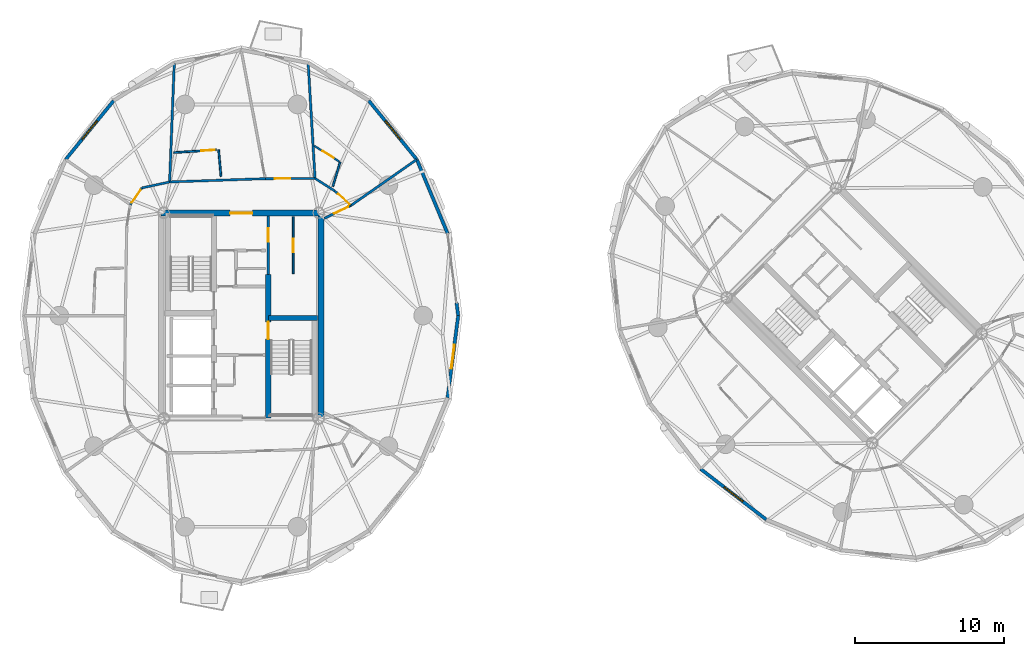
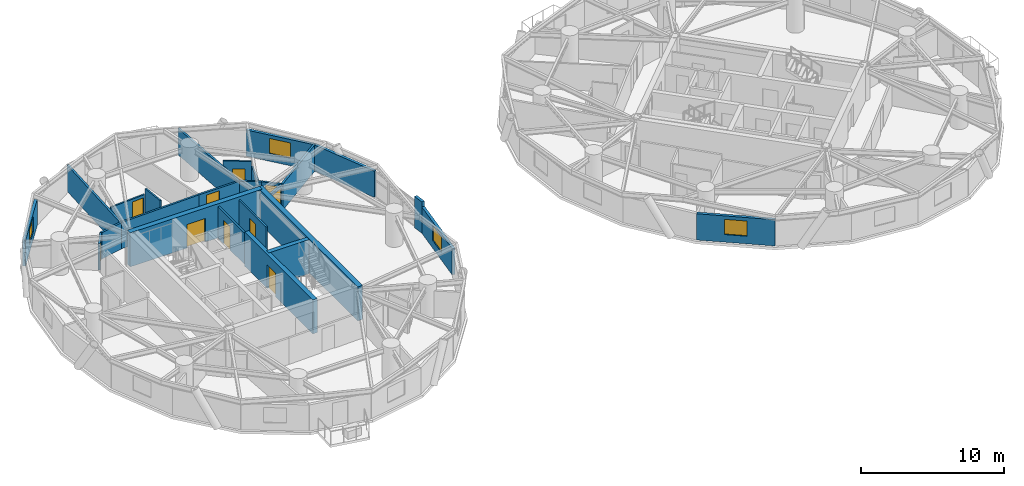
# One storey, part 10 of 17: 26 walls, 10 doors, 4 windows, 14 openings.
"""IFC4 building model written with IfcOpenShell, lengths in metres."""

import ifcopenshell
import ifcopenshell.guid

model = None  # the IFC model being written
_history = None  # IfcOwnerHistory: only IFC2X3 demands one
_inside = {}  # id of a spatial element -> (the spatial element, [elements in it])
_under = {}  # id of a project, library or spatial element -> (it, [spatial elements below it])
_declared = {}  # id of a project -> (the project, [libraries it declares])
_typed = {}  # id of a type object -> (the type object, [elements of that type])
_made_of = {}  # id of a material, layer set ... -> (it, [elements and type objects made of it])


def new_model(schema):
    """Start an empty IFC model of exactly this schema.

    Asked for "IFC4X3", IfcOpenShell would pick the latest addendum, in which some entities
    have other attributes; the version numbers below select the first issue.
    IFC2X3 requires an IfcOwnerHistory on every rooted entity: one is made here for all.
    """
    global model, _history
    if schema == "IFC4X3":
        model = ifcopenshell.file(schema_version=(4, 3, 0, 0))
    else:
        model = ifcopenshell.file(schema=schema)
    _inside.clear()
    _under.clear()
    _declared.clear()
    _typed.clear()
    _made_of.clear()
    _history = None
    if model.schema == "IFC2X3":
        org = make("IfcOrganization", Name="unknown")
        user = make(
            "IfcPersonAndOrganization",
            ThePerson=make("IfcPerson", FamilyName="unknown"),
            TheOrganization=org,
        )
        app = make(
            "IfcApplication",
            ApplicationDeveloper=org,
            Version="unknown",
            ApplicationFullName="unknown",
            ApplicationIdentifier="unknown",
        )
        _history = make(
            "IfcOwnerHistory",
            OwningUser=user,
            OwningApplication=app,
            ChangeAction="ADDED",
            CreationDate=0,
        )
    return model


def make(cls, **values):
    """One entity of the class cls with the attributes given. An attribute that is None is left unset."""
    return model.create_entity(
        cls, **{name: value for name, value in values.items() if value is not None}
    )


def rooted(cls, **values):
    """An entity with a GlobalId (a new one), such as an element, a storey or a relation."""
    return make(cls, GlobalId=ifcopenshell.guid.new(), OwnerHistory=_history, **values)


def si_unit(unit_type, name, prefix=None):
    """IfcSIUnit, for example si_unit("LENGTHUNIT", "METRE", prefix="MILLI")."""
    return make("IfcSIUnit", UnitType=unit_type, Prefix=prefix, Name=name)


def assignment(units):
    """IfcUnitAssignment: the units of a project."""
    return None if units is None else make("IfcUnitAssignment", Units=units)


def point(xyz):
    """IfcCartesianPoint."""
    return None if xyz is None else make("IfcCartesianPoint", Coordinates=xyz)


def direction(xyz):
    """IfcDirection."""
    return None if xyz is None else make("IfcDirection", DirectionRatios=xyz)


def frame(location, z_axis=None, x_axis=None):
    """IfcAxis2Placement3D, a coordinate frame: its origin and axes. An axis left out is left unset."""
    return make(
        "IfcAxis2Placement3D",
        Location=point(location),
        Axis=direction(z_axis),
        RefDirection=direction(x_axis),
    )


def frame_2d(location, x_axis=None):
    """IfcAxis2Placement2D, a coordinate frame in the plane: its origin and x axis."""
    return make(
        "IfcAxis2Placement2D", Location=point(location), RefDirection=direction(x_axis)
    )


def origin():
    """The frame at (0, 0, 0) with its axes left unset."""
    return frame((0.0, 0.0, 0.0))


def place(relative_to, where):
    """IfcLocalPlacement: puts the frame where relative to a parent placement (None: the world)."""
    return make(
        "IfcLocalPlacement", PlacementRelTo=relative_to, RelativePlacement=where
    )


def context(
    kind, dimensions, precision=None, world=None, true_north=None, identifier=None
):
    """IfcGeometricRepresentationContext, for example the 3D "Model" context."""
    return make(
        "IfcGeometricRepresentationContext",
        ContextIdentifier=identifier,
        ContextType=kind,
        CoordinateSpaceDimension=dimensions,
        Precision=precision,
        WorldCoordinateSystem=world,
        TrueNorth=true_north,
    )


def subcontext(parent, identifier, kind, view, scale=None):
    """IfcGeometricRepresentationSubContext, for example "Body" below "Model"."""
    return make(
        "IfcGeometricRepresentationSubContext",
        ContextIdentifier=identifier,
        ContextType=kind,
        ParentContext=parent,
        TargetScale=scale,
        TargetView=view,
    )


def project(units=None, contexts=None):
    """IfcProject with its units and contexts."""
    return rooted(
        "IfcProject",
        Name="project",
        RepresentationContexts=contexts,
        UnitsInContext=assignment(units),
    )


def spatial(cls, under=None, at=None, **own):
    """A site, building, storey or space (cls), placed at a placement, below another one or the project."""
    s = rooted(cls, ObjectPlacement=at, **own)
    if under is not None:
        _under.setdefault(under.id(), (under, []))[1].append(s)
    return s


def profile(cls, at=None, kind="AREA", **sizes):
    """A parametric profile (cls). Its sizes go by their IFC names, for example OverallWidth=200.0."""
    return make(cls, ProfileType=kind, Position=at, **sizes)


def rectangle(**sizes):
    """IfcRectangleProfileDef."""
    return profile("IfcRectangleProfileDef", **sizes)


def extrude(swept, where, along, depth):
    """IfcExtrudedAreaSolid: the profile swept, set in the frame where, extruded along a direction by depth."""
    return make(
        "IfcExtrudedAreaSolid",
        SweptArea=swept,
        Position=where,
        ExtrudedDirection=direction(along),
        Depth=depth,
    )


def shape(context_of_items, identifier, shape_type, items):
    """IfcShapeRepresentation: the items that make up one representation, for example the "Body"."""
    return make(
        "IfcShapeRepresentation",
        ContextOfItems=context_of_items,
        RepresentationIdentifier=identifier,
        RepresentationType=shape_type,
        Items=items,
    )


def source(mapping_origin, context_of_items, identifier, shape_type, items):
    """IfcRepresentationMap: a shape defined once, which mapped items show again and again."""
    return make(
        "IfcRepresentationMap",
        MappingOrigin=mapping_origin,
        MappedRepresentation=shape(context_of_items, identifier, shape_type, items),
    )


def transform(
    local_origin,
    x_axis=None,
    y_axis=None,
    z_axis=None,
    scale=None,
    scale2=None,
    scale3=None,
    uniform=True,
):
    """IfcCartesianTransformationOperator3D, or its non-uniform kind. x_axis, y_axis, z_axis: its Axis1, 2, 3."""
    if uniform:
        return make(
            "IfcCartesianTransformationOperator3D",
            Axis1=direction(x_axis),
            Axis2=direction(y_axis),
            LocalOrigin=point(local_origin),
            Scale=scale,
            Axis3=direction(z_axis),
        )
    return make(
        "IfcCartesianTransformationOperator3DnonUniform",
        Axis1=direction(x_axis),
        Axis2=direction(y_axis),
        LocalOrigin=point(local_origin),
        Scale=scale,
        Axis3=direction(z_axis),
        Scale2=scale2,
        Scale3=scale3,
    )


def mapped(mapping_source, mapping_target):
    """IfcMappedItem: shows the shape of a source again, moved by a transform."""
    return make(
        "IfcMappedItem", MappingSource=mapping_source, MappingTarget=mapping_target
    )


def material(Name=None, Category=None):
    """IfcMaterial."""
    return make("IfcMaterial", Name=Name, Category=Category)


def layer(
    of_material, thickness, ventilated=None, Name=None, Category=None, Priority=None
):
    """IfcMaterialLayer: one layer of a wall or slab, of a material (None: an air gap)."""
    return make(
        "IfcMaterialLayer",
        Material=of_material,
        LayerThickness=thickness,
        IsVentilated=ventilated,
        Name=Name,
        Category=Category,
        Priority=Priority,
    )


def layer_set(layers, Name=None):
    """IfcMaterialLayerSet."""
    return make("IfcMaterialLayerSet", MaterialLayers=layers, LayerSetName=Name)


def made_of(thing, what):
    """Note that an element or type object is made of a material, layer set ...; save() writes the relation."""
    if what is not None:
        _made_of.setdefault(what.id(), (what, []))[1].append(thing)
    return thing


def type_object(cls, material=None, **own):
    """A type object (cls), such as IfcWallType, which elements share."""
    return made_of(rooted(cls, **own), material)


def element(
    cls,
    number,
    at=None,
    inside=None,
    cuts=None,
    type_object=None,
    material=None,
    context=None,
    identifier="Body",
    shape_type=None,
    held_by="IfcProductDefinitionShape",
    body=None,
    shapes=None,
    **own,
):
    """One element of the class cls, such as IfcWall. Its Tag is "e" and its number.

    at: its placement. inside: the storey or other place that contains it. cuts: it is an
    opening in that element (IfcRelVoidsElement). A single representation is given by context,
    identifier, shape_type and body (its items); several are given by shapes. held_by: the class
    of the entity that holds the representations. save() writes the other relations.
    """
    e = rooted(cls, Tag="e%d" % number, ObjectPlacement=at, **own)
    if body is not None:
        shapes = [shape(context, identifier, shape_type, body)]
    if shapes is not None:
        e.Representation = make(held_by, Representations=shapes)
    if inside is not None:
        _inside.setdefault(inside.id(), (inside, []))[1].append(e)
    if cuts is not None:
        rooted(
            "IfcRelVoidsElement", RelatingBuildingElement=cuts, RelatedOpeningElement=e
        )
    if type_object is not None:
        _typed.setdefault(type_object.id(), (type_object, []))[1].append(e)
    return made_of(e, material)


def fill(opening, filler):
    """IfcRelFillsElement: the door or window that sits in an opening."""
    return rooted(
        "IfcRelFillsElement",
        RelatingOpeningElement=opening,
        RelatedBuildingElement=filler,
    )


def aggregate(whole, parts):
    """IfcRelAggregates: a whole, such as a stair, and the parts it consists of."""
    return rooted("IfcRelAggregates", RelatingObject=whole, RelatedObjects=parts)


def save(model, path):
    """Write the relations noted so far, then the file.

    IfcRelAggregates (storeys below a building ...), IfcRelContainedInSpatialStructure (elements
    in a storey), IfcRelDefinesByType, IfcRelAssociatesMaterial and IfcRelDeclares: one each for
    every whole, place, type object, material and project.
    """
    for whole, parts in _under.values():
        aggregate(whole, parts)
    for where, things in _inside.values():
        rooted(
            "IfcRelContainedInSpatialStructure",
            RelatedElements=things,
            RelatingStructure=where,
        )
    for kind, things in _typed.values():
        rooted("IfcRelDefinesByType", RelatedObjects=things, RelatingType=kind)
    for what, things in _made_of.values():
        rooted("IfcRelAssociatesMaterial", RelatedObjects=things, RelatingMaterial=what)
    for by, libraries in _declared.values():
        rooted("IfcRelDeclares", RelatingContext=by, RelatedDefinitions=libraries)
    model.write(path)


model = new_model("IFC4")

# Units and contexts
model_context = context("Model", 3, precision=1e-05, world=origin(), true_north=direction((0.0, 1.0)))
body_context = subcontext(model_context, "Body", "Model", "MODEL_VIEW")
ifc_project = project(units=[si_unit("LENGTHUNIT", "METRE"), si_unit("AREAUNIT", "SQUARE_METRE"), si_unit("VOLUMEUNIT", "CUBIC_METRE"), si_unit("PLANEANGLEUNIT", "RADIAN"), si_unit("MASSUNIT", "GRAM", prefix="KILO")], contexts=[model_context])

# Site, building, storey
site_placement = place(None, origin())
site = spatial("IfcSite", under=ifc_project, at=site_placement, CompositionType="ELEMENT")
building_placement = place(site_placement, origin())
building = spatial("IfcBuilding", under=site, at=building_placement, Name="Cununo Teusaquillo Station Towers", CompositionType="ELEMENT")
storey_placement = place(building_placement, frame((0.0, 0.0, 154.510009765625)))
storey = spatial("IfcBuildingStorey", under=building, at=storey_placement, Name="L48", CompositionType="ELEMENT", Elevation=154.510009765625)

# Wall, opening, door
ifc_material_1 = material(Name="Concrete C50/60", Category="concrete")
ifc_layer_1 = layer(ifc_material_1, 0.35009765625)
ifc_layer_set_1 = layer_set([ifc_layer_1], Name="Concrete C50/60")
wall_type_1 = type_object("IfcWallType", Name="WL-CORE-350", PredefinedType="SHEAR", material=ifc_layer_set_1)
wall_1_placement = place(storey_placement, frame((18.31494140625, 17.64990234375, 0.0), z_axis=(0.0, 0.0, 1.0), x_axis=(0.0, 1.0, 0.0)))
wall_1 = element("IfcWall", 1, at=wall_1_placement, inside=storey, type_object=wall_type_1, Name="L48 Tower A Core Shear Wall IE", PredefinedType="SHEAR", context=body_context, shape_type="SweptSolid", body=[
    extrude(rectangle(XDim=9.60009765625, YDim=0.35009765625, at=frame_2d((4.800048828125, 0.0))), origin(), (0.0, 0.0, 1.0), 2.909912109375),
])
shared_shape_1 = source(origin(), body_context, "Body", "SweptSolid", [
    extrude(rectangle(XDim=1.14990234375, YDim=2.02001953125, at=frame_2d((0.574951171875, 1.010009765625))), frame((0.0, 0.18505859375, 0.0), z_axis=(0.0, -1.0, 0.0), x_axis=(1.0, 0.0, 0.0)), (0.0, 0.0, 1.0), 0.3701171875),
])
opening_1_placement = place(wall_1_placement, frame((5.280029296875, 0.0, 0.0)))
opening_1 = element("IfcOpeningElement", 2, at=opening_1_placement, cuts=wall_1, Name="Opening D-ST1", PredefinedType="OPENING", context=body_context, shape_type="MappedRepresentation", body=[
    mapped(shared_shape_1, transform((0.0, 0.0, 0.0), x_axis=(1.0, 0.0, 0.0), y_axis=(0.0, 1.0, 0.0), z_axis=(0.0, 0.0, 1.0), scale=1.0)),
])
ifc_material_2 = material(Name="Galvanised fire-rated hollow steel door assembly", Category="steel")
door_type_1 = type_object("IfcDoorType", Name="DR-STAIR-1150", OperationType="NOTDEFINED", PredefinedType="DOOR", material=ifc_material_2)
shared_shape_2 = source(origin(), body_context, "Body", "SweptSolid", [
    extrude(rectangle(XDim=1.14990234375, YDim=2.02001953125, at=frame_2d((0.574951171875, 1.010009765625))), frame((0.0, 0.02490234375, 0.0), z_axis=(0.0, -1.0, 0.0), x_axis=(1.0, 0.0, 0.0)), (0.0, 0.0, 1.0), 0.050048828125),
])
door_1_placement = place(opening_1_placement, origin())
door_1 = element("IfcDoor", 3, at=door_1_placement, inside=storey, type_object=door_type_1, Name="L48 Tower A Exit Stair 2 Fire Door", OperationType="SINGLE_SWING_LEFT", OverallHeight=2.02001953125, OverallWidth=1.14990234375, PredefinedType="DOOR", context=body_context, shape_type="MappedRepresentation", body=[
    mapped(shared_shape_2, transform((0.0, 0.0, 0.0), x_axis=(1.0, 0.0, 0.0), y_axis=(0.0, 1.0, 0.0), z_axis=(0.0, 0.0, 1.0), scale=1.0)),
])
fill(opening_1, door_1)

# Walls
wall_2_placement = place(storey_placement, frame((18.31494140625, 24.344970703125, 0.0), z_axis=(0.0, 0.0, 1.0), x_axis=(1.0, 0.0, 0.0)))
element("IfcWall", 4, at=wall_2_placement, inside=storey, type_object=wall_type_1, Name="L48 Tower A Core Shear Wall ST2N", PredefinedType="SHEAR", context=body_context, shape_type="SweptSolid", body=[
    extrude(rectangle(XDim=3.28515625, YDim=0.35009765625, at=frame_2d((1.642578125, 0.0))), origin(), (0.0, 0.0, 1.0), 2.909912109375),
])
ifc_material_3 = material(Name="Concrete C50/60", Category="concrete")
ifc_layer_2 = layer(ifc_material_3, 0.39990234375)
ifc_layer_set_2 = layer_set([ifc_layer_2], Name="Concrete C50/60")
wall_type_2 = type_object("IfcWallType", Name="WL-CORE-400", PredefinedType="SHEAR", material=ifc_layer_set_2)
wall_3_placement = place(storey_placement, frame((21.85009765625, 17.449951171875, 0.0), z_axis=(0.0, 0.0, 1.0), x_axis=(0.0, 1.0, 0.0)))
element("IfcWall", 5, at=wall_3_placement, inside=storey, type_object=wall_type_2, Name="L48 Tower A Core Shear Wall E", PredefinedType="SHEAR", context=body_context, shape_type="SweptSolid", body=[
    extrude(rectangle(XDim=14.10009765625, YDim=0.39990234375, at=frame_2d((7.050048828125, 0.0))), origin(), (0.0, 0.0, 1.0), 2.909912109375),
])

# Wall, opening, door
wall_4_placement = place(storey_placement, frame((11.14990234375, 31.35009765625, 0.0), z_axis=(0.0, 0.0, 1.0), x_axis=(1.0, 0.0, 0.0)))
wall_4 = element("IfcWall", 6, at=wall_4_placement, inside=storey, type_object=wall_type_2, Name="L48 Tower A Core Shear Wall N", PredefinedType="SHEAR", context=body_context, shape_type="SweptSolid", body=[
    extrude(rectangle(XDim=10.7001953125, YDim=0.39990234375, at=frame_2d((5.35009765625, 0.0))), origin(), (0.0, 0.0, 1.0), 2.909912109375),
])
shared_shape_3 = source(origin(), body_context, "Body", "SweptSolid", [
    extrude(rectangle(XDim=1.5, YDim=2.02001953125, at=frame_2d((0.75, 1.010009765625))), frame((0.0, 0.2099609375, 0.0), z_axis=(0.0, -1.0, 0.0), x_axis=(1.0, 0.0, 0.0)), (0.0, 0.0, 1.0), 0.419921875),
])
opening_2_placement = place(wall_4_placement, frame((4.60009765625, 0.0, 0.0)))
opening_2 = element("IfcOpeningElement", 7, at=opening_2_placement, cuts=wall_4, Name="Opening D-LB1", PredefinedType="OPENING", context=body_context, shape_type="MappedRepresentation", body=[
    mapped(shared_shape_3, transform((0.0, 0.0, 0.0), x_axis=(1.0, 0.0, 0.0), y_axis=(0.0, 1.0, 0.0), z_axis=(0.0, 0.0, 1.0), scale=1.0)),
])
ifc_material_4 = material(Name="Galvanised fire-rated hollow steel door assembly", Category="steel")
door_type_2 = type_object("IfcDoorType", Name="DR-LOBBY-1500", OperationType="DOUBLE_DOOR_SINGLE_SWING", PredefinedType="DOOR", material=ifc_material_4)
shared_shape_4 = source(origin(), body_context, "Body", "SweptSolid", [
    extrude(rectangle(XDim=1.5, YDim=2.02001953125, at=frame_2d((0.75, 1.010009765625))), frame((0.0, 0.02490234375, 0.0), z_axis=(0.0, -1.0, 0.0), x_axis=(1.0, 0.0, 0.0)), (0.0, 0.0, 1.0), 0.050048828125),
])
door_2_placement = place(opening_2_placement, origin())
door_2 = element("IfcDoor", 8, at=door_2_placement, inside=storey, type_object=door_type_2, Name="L48 Tower A North Core Lift Lobby Door", OperationType="DOUBLE_DOOR_SINGLE_SWING", OverallHeight=2.02001953125, OverallWidth=1.5, PredefinedType="DOOR", context=body_context, shape_type="MappedRepresentation", body=[
    mapped(shared_shape_4, transform((0.0, 0.0, 0.0), x_axis=(1.0, 0.0, 0.0), y_axis=(0.0, 1.0, 0.0), z_axis=(0.0, 0.0, 1.0), scale=1.0)),
])
fill(opening_2, door_2)

# Walls
ifc_material_5 = material(Name="Precast concrete C40/50", Category="concrete")
ifc_layer_3 = layer(ifc_material_5, 0.219970703125)
ifc_layer_set_3 = layer_set([ifc_layer_3], Name="Precast concrete C40/50")
wall_type_3 = type_object("IfcWallType", Name="WL-EXT-220", PredefinedType="SOLIDWALL", material=ifc_layer_set_3)
wall_5_placement = place(storey_placement, frame((30.9033203125, 25.36279296875, 0.0), z_axis=(0.0, 0.0, 1.0), x_axis=(0.128247365719, -0.991742211054, 0.0)))
element("IfcWall", 9, at=wall_5_placement, inside=storey, type_object=wall_type_3, Name="L48 Tower A Column Pier Cladding Wall C00-PB", PredefinedType="SOLIDWALL", context=body_context, shape_type="SweptSolid", body=[
    extrude(rectangle(XDim=0.869873046875, YDim=0.219970703125, at=frame_2d((0.43505859375, 0.0))), origin(), (0.0, 0.0, 1.0), 2.675048828125),
])
wall_6_placement = place(storey_placement, frame((28.242919921875, 34.94482421875, 0.0), z_axis=(0.0, 0.0, 1.0), x_axis=(0.384259959969, -0.923224936386, 0.0)))
element("IfcWall", 10, at=wall_6_placement, inside=storey, type_object=wall_type_3, Name="L48 Tower A Exterior Facade Wall C01", PredefinedType="SOLIDWALL", context=body_context, shape_type="SweptSolid", body=[
    extrude(rectangle(XDim=5.365478515625, YDim=0.219970703125, at=frame_2d((2.6826171875, 0.0))), origin(), (0.0, 0.0, 1.0), 2.244873046875),
])

# Wall, opening, window
wall_7_placement = place(storey_placement, frame((25.03173828125, 38.876220703125, 0.0), z_axis=(0.0, 0.0, 1.0), x_axis=(0.632598524901, -0.774479894053, 0.0)))
wall_7 = element("IfcWall", 11, at=wall_7_placement, inside=storey, type_object=wall_type_3, Name="L48 Tower A Exterior Facade Wall C02", PredefinedType="SOLIDWALL", context=body_context, shape_type="SweptSolid", body=[
    extrude(rectangle(XDim=5.076171875, YDim=0.219970703125, at=frame_2d((2.5380859375, 0.0))), origin(), (0.0, 0.0, 1.0), 2.244873046875),
])
shared_shape_5 = source(origin(), body_context, "Body", "SweptSolid", [
    extrude(rectangle(XDim=1.60009765625, YDim=1.300048828125, at=frame_2d((0.800048828125, 0.64990234375))), frame((0.0, 0.119873046875, 0.0), z_axis=(0.0, -1.0, 0.0), x_axis=(1.0, 0.0, 0.0)), (0.0, 0.0, 1.0), 0.239990234375),
])
opening_3_placement = place(wall_7_placement, frame((1.738037109375, 0.0, 0.64990234375)))
opening_3 = element("IfcOpeningElement", 12, at=opening_3_placement, cuts=wall_7, Name="Opening WN-03", PredefinedType="OPENING", context=body_context, shape_type="MappedRepresentation", body=[
    mapped(shared_shape_5, transform((0.0, 0.0, 0.0), x_axis=(1.0, 0.0, 0.0), y_axis=(0.0, 1.0, 0.0), z_axis=(0.0, 0.0, 1.0), scale=1.0)),
])
ifc_material_6 = material(Name="Ceramic-fritted dark low-E double glazing", Category="glass")
window_type = type_object("IfcWindowType", Name="WIN-CORN-1600", PartitioningType="SINGLE_PANEL", PredefinedType="WINDOW", material=ifc_material_6)
shared_shape_6 = source(origin(), body_context, "Body", "SweptSolid", [
    extrude(rectangle(XDim=1.60009765625, YDim=1.300048828125, at=frame_2d((0.800048828125, 0.64990234375))), frame((0.0, 0.030029296875, 0.0), z_axis=(0.0, -1.0, 0.0), x_axis=(1.0, 0.0, 0.0)), (0.0, 0.0, 1.0), 0.06005859375),
])
window_1_placement = place(opening_3_placement, origin())
window_1 = element("IfcWindow", 13, at=window_1_placement, inside=storey, type_object=window_type, Name="L48 Tower A Facade Window C02", OverallHeight=1.300048828125, OverallWidth=1.60009765625, PartitioningType="SINGLE_PANEL", PredefinedType="WINDOW", context=body_context, shape_type="MappedRepresentation", body=[
    mapped(shared_shape_6, transform((0.0, 0.0, 0.0), x_axis=(1.0, 0.0, 0.0), y_axis=(0.0, 1.0, 0.0), z_axis=(0.0, 0.0, 1.0), scale=1.0)),
])
fill(opening_3, window_1)

wall_8_placement = place(storey_placement, frame((4.757080078125, 34.94482421875, 0.0), z_axis=(0.0, 0.0, 1.0), x_axis=(0.632598524901, 0.774479894053, 0.0)))
wall_8 = element("IfcWall", 14, at=wall_8_placement, inside=storey, type_object=wall_type_3, Name="L48 Tower A Exterior Facade Wall C07", PredefinedType="SOLIDWALL", context=body_context, shape_type="SweptSolid", body=[
    extrude(rectangle(XDim=5.076171875, YDim=0.219970703125, at=frame_2d((2.5380859375, 0.0))), origin(), (0.0, 0.0, 1.0), 2.244873046875),
])
opening_4_placement = place(wall_8_placement, frame((1.738037109375, 0.0, 0.64990234375)))
opening_4 = element("IfcOpeningElement", 15, at=opening_4_placement, cuts=wall_8, Name="Opening WN-03", PredefinedType="OPENING", context=body_context, shape_type="MappedRepresentation", body=[
    mapped(shared_shape_5, transform((0.0, 0.0, 0.0), x_axis=(1.0, 0.0, 0.0), y_axis=(0.0, 1.0, 0.0), z_axis=(0.0, 0.0, 1.0), scale=1.0)),
])
window_2_placement = place(opening_4_placement, origin())
window_2 = element("IfcWindow", 16, at=window_2_placement, inside=storey, type_object=window_type, Name="L48 Tower A Facade Window C07", OverallHeight=1.300048828125, OverallWidth=1.60009765625, PartitioningType="SINGLE_PANEL", PredefinedType="WINDOW", context=body_context, shape_type="MappedRepresentation", body=[
    mapped(shared_shape_6, transform((0.0, 0.0, 0.0), x_axis=(1.0, 0.0, 0.0), y_axis=(0.0, 1.0, 0.0), z_axis=(0.0, 0.0, 1.0), scale=1.0)),
])
fill(opening_4, window_2)

wall_9_placement = place(storey_placement, frame((31.014892578125, 24.5, 0.0), z_axis=(0.0, 0.0, 1.0), x_axis=(-0.128266533912, -0.991739732126, 0.0)))
wall_9 = element("IfcWall", 17, at=wall_9_placement, inside=storey, type_object=wall_type_3, Name="L48 Tower A Exterior Facade Wall C19", PredefinedType="SOLIDWALL", context=body_context, shape_type="SweptSolid", body=[
    extrude(rectangle(XDim=5.536865234375, YDim=0.219970703125, at=frame_2d((2.7685546875, 0.0))), origin(), (0.0, 0.0, 1.0), 2.244873046875),
])
opening_5_placement = place(wall_9_placement, frame((1.968017578125, 0.0, 0.64990234375)))
opening_5 = element("IfcOpeningElement", 18, at=opening_5_placement, cuts=wall_9, Name="Opening WN-03", PredefinedType="OPENING", context=body_context, shape_type="MappedRepresentation", body=[
    mapped(shared_shape_5, transform((0.0, 0.0, 0.0), x_axis=(1.0, 0.0, 0.0), y_axis=(0.0, 1.0, 0.0), z_axis=(0.0, 0.0, 1.0), scale=1.0)),
])
window_3_placement = place(opening_5_placement, origin())
window_3 = element("IfcWindow", 19, at=window_3_placement, inside=storey, type_object=window_type, Name="L48 Tower A Facade Window C19", OverallHeight=1.300048828125, OverallWidth=1.60009765625, PartitioningType="SINGLE_PANEL", PredefinedType="WINDOW", context=body_context, shape_type="MappedRepresentation", body=[
    mapped(shared_shape_6, transform((0.0, 0.0, 0.0), x_axis=(1.0, 0.0, 0.0), y_axis=(0.0, 1.0, 0.0), z_axis=(0.0, 0.0, 1.0), scale=1.0)),
])
fill(opening_5, window_3)

wall_10_placement = place(storey_placement, frame((51.62158203125, 10.855712890625, 0.0), z_axis=(0.0, 0.0, 1.0), x_axis=(-0.791982658323, 0.610543584779, 0.0)))
wall_10 = element("IfcWall", 20, at=wall_10_placement, inside=storey, type_object=wall_type_3, Name="L48 Tower B Exterior Facade Wall C10", PredefinedType="SOLIDWALL", context=body_context, shape_type="SweptSolid", body=[
    extrude(rectangle(XDim=5.537109375, YDim=0.219970703125, at=frame_2d((2.7685546875, 0.0))), origin(), (0.0, 0.0, 1.0), 2.244873046875),
])
opening_6_placement = place(wall_10_placement, frame((1.968017578125, 0.0, 0.64990234375)))
opening_6 = element("IfcOpeningElement", 21, at=opening_6_placement, cuts=wall_10, Name="Opening WN-03", PredefinedType="OPENING", context=body_context, shape_type="MappedRepresentation", body=[
    mapped(shared_shape_5, transform((0.0, 0.0, 0.0), x_axis=(1.0, 0.0, 0.0), y_axis=(0.0, 1.0, 0.0), z_axis=(0.0, 0.0, 1.0), scale=1.0)),
])
window_4_placement = place(opening_6_placement, origin())
window_4 = element("IfcWindow", 22, at=window_4_placement, inside=storey, type_object=window_type, Name="L48 Tower B Facade Window C10", OverallHeight=1.300048828125, OverallWidth=1.60009765625, PartitioningType="SINGLE_PANEL", PredefinedType="WINDOW", context=body_context, shape_type="MappedRepresentation", body=[
    mapped(shared_shape_6, transform((0.0, 0.0, 0.0), x_axis=(1.0, 0.0, 0.0), y_axis=(0.0, 1.0, 0.0), z_axis=(0.0, 0.0, 1.0), scale=1.0)),
])
fill(opening_6, window_4)

# Wall, opening, door
ifc_material_7 = material(Name="Fire-rated gypsum plasterboard partition assembly", Category="gypsum")
ifc_layer_4 = layer(ifc_material_7, 0.125)
ifc_layer_set_4 = layer_set([ifc_layer_4], Name="Fire-rated gypsum plasterboard partition assembly")
wall_type_4 = type_object("IfcWallType", Name="WL-PART-125", PredefinedType="PARTITIONING", material=ifc_layer_set_4)
wall_11_placement = place(storey_placement, frame((19.97998046875, 27.300048828125, 0.0), z_axis=(0.0, 0.0, 1.0), x_axis=(0.0, 1.0, 0.0)))
wall_11 = element("IfcWall", 23, at=wall_11_placement, inside=storey, type_object=wall_type_4, Name="L48 Tower A Reclaimed Bay Vertical Split Wall", PredefinedType="PARTITIONING", context=body_context, shape_type="SweptSolid", body=[
    extrude(rectangle(XDim=3.820068359375, YDim=0.125, at=frame_2d((1.91015625, 0.0))), origin(), (0.0, 0.0, 1.0), 2.675048828125),
])
shared_shape_7 = source(origin(), body_context, "Body", "SweptSolid", [
    extrude(rectangle(XDim=0.89990234375, YDim=2.0048828125, at=frame_2d((0.449951171875, 1.00244140625))), frame((0.0, 0.072509765625, 0.0), z_axis=(0.0, -1.0, 0.0), x_axis=(1.0, 0.0, 0.0)), (0.0, 0.0, 1.0), 0.14501953125),
])
opening_7_placement = place(wall_11_placement, frame((1.449951171875, 0.0, 0.0)))
opening_7 = element("IfcOpeningElement", 24, at=opening_7_placement, cuts=wall_11, Name="Opening D-IN1", PredefinedType="OPENING", context=body_context, shape_type="MappedRepresentation", body=[
    mapped(shared_shape_7, transform((0.0, 0.0, 0.0), x_axis=(1.0, 0.0, 0.0), y_axis=(0.0, 1.0, 0.0), z_axis=(0.0, 0.0, 1.0), scale=1.0)),
])
ifc_material_8 = material(Name="Acoustic solid-core hardwood leaf assembly", Category="wood")
door_type_3 = type_object("IfcDoorType", Name="DR-INT-900", OperationType="NOTDEFINED", PredefinedType="DOOR", material=ifc_material_8)
shared_shape_8 = source(origin(), body_context, "Body", "SweptSolid", [
    extrude(rectangle(XDim=0.89990234375, YDim=2.0048828125, at=frame_2d((0.449951171875, 1.00244140625))), frame((0.0, 0.02490234375, 0.0), z_axis=(0.0, -1.0, 0.0), x_axis=(1.0, 0.0, 0.0)), (0.0, 0.0, 1.0), 0.050048828125),
])
door_3_placement = place(opening_7_placement, origin())
door_3 = element("IfcDoor", 25, at=door_3_placement, inside=storey, type_object=door_type_3, Name="L48 Tower A Reclaimed Acoustic Booth Door", OperationType="SINGLE_SWING_RIGHT", OverallHeight=2.0048828125, OverallWidth=0.89990234375, PredefinedType="DOOR", context=body_context, shape_type="MappedRepresentation", body=[
    mapped(shared_shape_8, transform((0.0, 0.0, 0.0), x_axis=(1.0, 0.0, 0.0), y_axis=(0.0, 1.0, 0.0), z_axis=(0.0, 0.0, 1.0), scale=1.0)),
])
fill(opening_7, door_3)

# Wall
wall_12_placement = place(storey_placement, frame((22.6279296875, 33.141845703125, 0.0), z_axis=(0.0, 0.0, 1.0), x_axis=(0.28808673097, 0.957604320917, 0.0)))
element("IfcWall", 26, at=wall_12_placement, inside=storey, type_object=wall_type_4, Name="L48 Tower A S01 En-suite Side Wall", PredefinedType="PARTITIONING", context=body_context, shape_type="SweptSolid", body=[
    extrude(rectangle(XDim=1.697509765625, YDim=0.125, at=frame_2d((0.8486328125, 0.0))), origin(), (0.0, 0.0, 1.0), 2.244873046875),
])

# Wall, opening, door
wall_13_placement = place(storey_placement, frame((23.064208984375, 34.800537109375, 0.0), z_axis=(0.0, 0.0, 1.0), x_axis=(-0.846418905871, 0.532517638942, 0.0)))
wall_13 = element("IfcWall", 27, at=wall_13_placement, inside=storey, type_object=wall_type_4, Name="L48 Tower A S01 En-suite Back Wall", PredefinedType="PARTITIONING", context=body_context, shape_type="SweptSolid", body=[
    extrude(rectangle(XDim=1.993408203125, YDim=0.125, at=frame_2d((0.99658203125, 0.0))), origin(), (0.0, 0.0, 1.0), 2.675048828125),
])
opening_8_placement = place(wall_13_placement, frame((0.43994140625, 0.0, 0.0)))
opening_8 = element("IfcOpeningElement", 28, at=opening_8_placement, cuts=wall_13, Name="Opening D-IN1", PredefinedType="OPENING", context=body_context, shape_type="MappedRepresentation", body=[
    mapped(shared_shape_7, transform((0.0, 0.0, 0.0), x_axis=(1.0, 0.0, 0.0), y_axis=(0.0, 1.0, 0.0), z_axis=(0.0, 0.0, 1.0), scale=1.0)),
])
door_4_placement = place(opening_8_placement, origin())
door_4 = element("IfcDoor", 29, at=door_4_placement, inside=storey, type_object=door_type_3, Name="L48 Tower A S01 En-suite Bathroom Door", OperationType="SINGLE_SWING_RIGHT", OverallHeight=2.0048828125, OverallWidth=0.89990234375, PredefinedType="DOOR", context=body_context, shape_type="MappedRepresentation", body=[
    mapped(shared_shape_8, transform((0.0, 0.0, 0.0), x_axis=(1.0, 0.0, 0.0), y_axis=(0.0, 1.0, 0.0), z_axis=(0.0, 0.0, 1.0), scale=1.0)),
])
fill(opening_8, door_4)

# Wall
wall_14_placement = place(storey_placement, frame((15.14599609375, 33.807373046875, 0.0), z_axis=(0.0, 0.0, 1.0), x_axis=(-0.087433462003, 0.996170361797, 0.0)))
element("IfcWall", 30, at=wall_14_placement, inside=storey, type_object=wall_type_4, Name="L48 Tower A S02 En-suite Side Wall", PredefinedType="PARTITIONING", context=body_context, shape_type="SweptSolid", body=[
    extrude(rectangle(XDim=1.79541015625, YDim=0.125, at=frame_2d((0.897705078125, 0.0))), origin(), (0.0, 0.0, 1.0), 2.675048828125),
])

# Wall, opening, door
wall_15_placement = place(storey_placement, frame((14.8408203125, 35.58642578125, 0.0), z_axis=(0.0, 0.0, 1.0), x_axis=(-0.997963636416, -0.063785424599, 0.0)))
wall_15 = element("IfcWall", 31, at=wall_15_placement, inside=storey, type_object=wall_type_4, Name="L48 Tower A S02 En-suite Back Wall", PredefinedType="PARTITIONING", context=body_context, shape_type="SweptSolid", body=[
    extrude(rectangle(XDim=2.8515625, YDim=0.125, at=frame_2d((1.42578125, 0.0))), origin(), (0.0, 0.0, 1.0), 2.244873046875),
])
opening_9_placement = place(wall_15_placement, frame((0.1201171875, 0.0, 0.0)))
opening_9 = element("IfcOpeningElement", 32, at=opening_9_placement, cuts=wall_15, Name="Opening D-IN1", PredefinedType="OPENING", context=body_context, shape_type="MappedRepresentation", body=[
    mapped(shared_shape_7, transform((0.0, 0.0, 0.0), x_axis=(1.0, 0.0, 0.0), y_axis=(0.0, 1.0, 0.0), z_axis=(0.0, 0.0, 1.0), scale=1.0)),
])
door_5_placement = place(opening_9_placement, origin())
door_5 = element("IfcDoor", 33, at=door_5_placement, inside=storey, type_object=door_type_3, Name="L48 Tower A S02 En-suite Bathroom Door", OperationType="SINGLE_SWING_LEFT", OverallHeight=2.0048828125, OverallWidth=0.89990234375, PredefinedType="DOOR", context=body_context, shape_type="MappedRepresentation", body=[
    mapped(shared_shape_8, transform((0.0, 0.0, 0.0), x_axis=(1.0, 0.0, 0.0), y_axis=(0.0, 1.0, 0.0), z_axis=(0.0, 0.0, 1.0), scale=1.0)),
])
fill(opening_9, door_5)

ifc_material_9 = material(Name="Fire-rated gypsum plasterboard partition assembly", Category="gypsum")
ifc_layer_5 = layer(ifc_material_9, 0.14990234375)
ifc_layer_set_5 = layer_set([ifc_layer_5], Name="Fire-rated gypsum plasterboard partition assembly")
wall_type_5 = type_object("IfcWallType", Name="WL-PART-150", PredefinedType="PARTITIONING", material=ifc_layer_set_5)
wall_16_placement = place(storey_placement, frame((23.840576171875, 31.865966796875, 0.0), z_axis=(0.0, 0.0, 1.0), x_axis=(-0.74511843306, 0.666932171, 0.0)))
wall_16 = element("IfcWall", 34, at=wall_16_placement, inside=storey, type_object=wall_type_5, Name="L48 Tower A Corridor Ring Wall C02", PredefinedType="PARTITIONING", context=body_context, shape_type="SweptSolid", body=[
    extrude(rectangle(XDim=1.455078125, YDim=0.14990234375, at=frame_2d((0.7275390625, 0.0))), origin(), (0.0, 0.0, 1.0), 2.244873046875),
])
shared_shape_9 = source(origin(), body_context, "Body", "SweptSolid", [
    extrude(rectangle(XDim=1.050048828125, YDim=2.014892578125, at=frame_2d((0.52490234375, 1.00732421875))), frame((0.0, 0.0849609375, 0.0), z_axis=(0.0, -1.0, 0.0), x_axis=(1.0, 0.0, 0.0)), (0.0, 0.0, 1.0), 0.169921875),
])
opening_10_placement = place(wall_16_placement, frame((0.1201171875, 0.0, 0.0)))
opening_10 = element("IfcOpeningElement", 35, at=opening_10_placement, cuts=wall_16, Name="Opening D-SU1", PredefinedType="OPENING", context=body_context, shape_type="MappedRepresentation", body=[
    mapped(shared_shape_9, transform((0.0, 0.0, 0.0), x_axis=(1.0, 0.0, 0.0), y_axis=(0.0, 1.0, 0.0), z_axis=(0.0, 0.0, 1.0), scale=1.0)),
])
ifc_material_10 = material(Name="Acoustic solid-core hardwood leaf assembly", Category="wood")
door_type_4 = type_object("IfcDoorType", Name="DR-SUITE-1050", OperationType="NOTDEFINED", PredefinedType="DOOR", material=ifc_material_10)
shared_shape_10 = source(origin(), body_context, "Body", "SweptSolid", [
    extrude(rectangle(XDim=1.050048828125, YDim=2.014892578125, at=frame_2d((0.52490234375, 1.00732421875))), frame((0.0, 0.02490234375, 0.0), z_axis=(0.0, -1.0, 0.0), x_axis=(1.0, 0.0, 0.0)), (0.0, 0.0, 1.0), 0.050048828125),
])
door_6_placement = place(opening_10_placement, origin())
door_6 = element("IfcDoor", 36, at=door_6_placement, inside=storey, type_object=door_type_4, Name="L48 Tower A Grand Panorama Hotel Suite Entrance Door", OperationType="SINGLE_SWING_LEFT", OverallHeight=2.014892578125, OverallWidth=1.050048828125, PredefinedType="DOOR", context=body_context, shape_type="MappedRepresentation", body=[
    mapped(shared_shape_10, transform((0.0, 0.0, 0.0), x_axis=(1.0, 0.0, 0.0), y_axis=(0.0, 1.0, 0.0), z_axis=(0.0, 0.0, 1.0), scale=1.0)),
])
fill(opening_10, door_6)

# Wall
wall_17_placement = place(storey_placement, frame((22.75634765625, 32.83642578125, 0.0), z_axis=(0.0, 0.0, 1.0), x_axis=(-0.843828401801, 0.536613108593, 0.0)))
element("IfcWall", 37, at=wall_17_placement, inside=storey, type_object=wall_type_5, Name="L48 Tower A Corridor Ring Wall C03", PredefinedType="PARTITIONING", context=body_context, shape_type="SweptSolid", body=[
    extrude(rectangle(XDim=1.5654296875, YDim=0.14990234375, at=frame_2d((0.78271484375, 0.0))), origin(), (0.0, 0.0, 1.0), 2.244873046875),
])

# Wall, opening, door
wall_18_placement = place(storey_placement, frame((21.435302734375, 33.676513671875, 0.0), z_axis=(0.0, 0.0, 1.0), x_axis=(-0.999986775557, -0.005142831114, 0.0)))
wall_18 = element("IfcWall", 38, at=wall_18_placement, inside=storey, type_object=wall_type_5, Name="L48 Tower A Corridor Ring Wall C04", PredefinedType="PARTITIONING", context=body_context, shape_type="SweptSolid", body=[
    extrude(rectangle(XDim=3.322998046875, YDim=0.14990234375, at=frame_2d((1.66162109375, 0.0))), origin(), (0.0, 0.0, 1.0), 2.244873046875),
])
opening_11_placement = place(wall_18_placement, frame((1.644775390625, 0.0, 0.0)))
opening_11 = element("IfcOpeningElement", 39, at=opening_11_placement, cuts=wall_18, Name="Opening D-SU1", PredefinedType="OPENING", context=body_context, shape_type="MappedRepresentation", body=[
    mapped(shared_shape_9, transform((0.0, 0.0, 0.0), x_axis=(1.0, 0.0, 0.0), y_axis=(0.0, 1.0, 0.0), z_axis=(0.0, 0.0, 1.0), scale=1.0)),
])
door_7_placement = place(opening_11_placement, origin())
door_7 = element("IfcDoor", 40, at=door_7_placement, inside=storey, type_object=door_type_4, Name="L48 Tower A Cloud-Forest Hotel Suite Entrance Door", OperationType="SINGLE_SWING_LEFT", OverallHeight=2.014892578125, OverallWidth=1.050048828125, PredefinedType="DOOR", context=body_context, shape_type="MappedRepresentation", body=[
    mapped(shared_shape_10, transform((0.0, 0.0, 0.0), x_axis=(1.0, 0.0, 0.0), y_axis=(0.0, 1.0, 0.0), z_axis=(0.0, 0.0, 1.0), scale=1.0)),
])
fill(opening_11, door_7)

# Walls
wall_19_placement = place(storey_placement, frame((18.1123046875, 33.659423828125, 0.0), z_axis=(0.0, 0.0, 1.0), x_axis=(-0.999413895918, -0.034232508622, 0.0)))
element("IfcWall", 41, at=wall_19_placement, inside=storey, type_object=wall_type_5, Name="L48 Tower A Corridor Ring Wall C05", PredefinedType="PARTITIONING", context=body_context, shape_type="SweptSolid", body=[
    extrude(rectangle(XDim=6.404296875, YDim=0.14990234375, at=frame_2d((3.2021484375, 0.0))), origin(), (0.0, 0.0, 1.0), 2.244873046875),
])
wall_20_placement = place(storey_placement, frame((11.711669921875, 33.440185546875, 0.0), z_axis=(0.0, 0.0, 1.0), x_axis=(-0.977753514213, -0.209757158265, 0.0)))
element("IfcWall", 42, at=wall_20_placement, inside=storey, type_object=wall_type_5, Name="L48 Tower A Corridor Ring Wall C06", PredefinedType="PARTITIONING", context=body_context, shape_type="SweptSolid", body=[
    extrude(rectangle(XDim=1.900634765625, YDim=0.14990234375, at=frame_2d((0.9501953125, 0.0))), origin(), (0.0, 0.0, 1.0), 2.244873046875),
])

# Wall, opening, door
wall_21_placement = place(storey_placement, frame((9.853271484375, 33.04150390625, 0.0), z_axis=(0.0, 0.0, 1.0), x_axis=(-0.567189283521, -0.823587467522, 0.0)))
wall_21 = element("IfcWall", 43, at=wall_21_placement, inside=storey, type_object=wall_type_5, Name="L48 Tower A Corridor Ring Wall C07", PredefinedType="PARTITIONING", context=body_context, shape_type="SweptSolid", body=[
    extrude(rectangle(XDim=1.364501953125, YDim=0.14990234375, at=frame_2d((0.68212890625, 0.0))), origin(), (0.0, 0.0, 1.0), 2.244873046875),
])
opening_12_placement = place(wall_21_placement, frame((0.1572265625, 0.0, 0.0)))
opening_12 = element("IfcOpeningElement", 44, at=opening_12_placement, cuts=wall_21, Name="Opening D-SU1", PredefinedType="OPENING", context=body_context, shape_type="MappedRepresentation", body=[
    mapped(shared_shape_9, transform((0.0, 0.0, 0.0), x_axis=(1.0, 0.0, 0.0), y_axis=(0.0, 1.0, 0.0), z_axis=(0.0, 0.0, 1.0), scale=1.0)),
])
door_8_placement = place(opening_12_placement, origin())
door_8 = element("IfcDoor", 45, at=door_8_placement, inside=storey, type_object=door_type_4, Name="L48 Tower A Sky Sommelier Lounge Entrance Door", OperationType="SINGLE_SWING_RIGHT", OverallHeight=2.014892578125, OverallWidth=1.050048828125, PredefinedType="DOOR", context=body_context, shape_type="MappedRepresentation", body=[
    mapped(shared_shape_10, transform((0.0, 0.0, 0.0), x_axis=(1.0, 0.0, 0.0), y_axis=(0.0, 1.0, 0.0), z_axis=(0.0, 0.0, 1.0), scale=1.0)),
])
fill(opening_12, door_8)

ifc_material_11 = material(Name="Fire-rated gypsum plasterboard partition assembly", Category="gypsum")
ifc_layer_6 = layer(ifc_material_11, 0.159912109375)
ifc_layer_set_6 = layer_set([ifc_layer_6], Name="Fire-rated gypsum plasterboard partition assembly")
wall_type_6 = type_object("IfcWallType", Name="WL-PART-160", PredefinedType="PARTITIONING", material=ifc_layer_set_6)
wall_22_placement = place(storey_placement, frame((18.31494140625, 27.25, 0.0), z_axis=(0.0, 0.0, 1.0), x_axis=(0.0, 1.0, 0.0)))
wall_22 = element("IfcWall", 46, at=wall_22_placement, inside=storey, type_object=wall_type_6, Name="L48 Tower A Reclaimed Core Bay Entry Wall", PredefinedType="PARTITIONING", context=body_context, shape_type="SweptSolid", body=[
    extrude(rectangle(XDim=3.89990234375, YDim=0.159912109375, at=frame_2d((1.949951171875, 0.0))), origin(), (0.0, 0.0, 1.0), 2.675048828125),
])
shared_shape_11 = source(origin(), body_context, "Body", "SweptSolid", [
    extrude(rectangle(XDim=0.89990234375, YDim=2.0048828125, at=frame_2d((0.449951171875, 1.00244140625))), frame((0.0, 0.08984375, 0.0), z_axis=(0.0, -1.0, 0.0), x_axis=(1.0, 0.0, 0.0)), (0.0, 0.0, 1.0), 0.179931640625),
])
opening_13_placement = place(wall_22_placement, frame((2.199951171875, 0.0, 0.0)))
opening_13 = element("IfcOpeningElement", 47, at=opening_13_placement, cuts=wall_22, Name="Opening D-IN1", PredefinedType="OPENING", context=body_context, shape_type="MappedRepresentation", body=[
    mapped(shared_shape_11, transform((0.0, 0.0, 0.0), x_axis=(1.0, 0.0, 0.0), y_axis=(0.0, 1.0, 0.0), z_axis=(0.0, 0.0, 1.0), scale=1.0)),
])
door_9_placement = place(opening_13_placement, origin())
door_9 = element("IfcDoor", 48, at=door_9_placement, inside=storey, type_object=door_type_3, Name="L48 Tower A Reclaimed Meeting Room Door", OperationType="SINGLE_SWING_LEFT", OverallHeight=2.0048828125, OverallWidth=0.89990234375, PredefinedType="DOOR", context=body_context, shape_type="MappedRepresentation", body=[
    mapped(shared_shape_8, transform((0.0, 0.0, 0.0), x_axis=(1.0, 0.0, 0.0), y_axis=(0.0, 1.0, 0.0), z_axis=(0.0, 0.0, 1.0), scale=1.0)),
])
fill(opening_13, door_9)

# Walls
wall_23_placement = place(storey_placement, frame((23.840576171875, 31.865966796875, 0.0), z_axis=(0.0, 0.0, 1.0), x_axis=(0.819514693563, 0.573058170724, 0.0)))
element("IfcWall", 49, at=wall_23_placement, inside=storey, type_object=wall_type_6, Name="L48 Tower A Radial Suite Partition R01", PredefinedType="PARTITIONING", context=body_context, shape_type="SweptSolid", body=[
    extrude(rectangle(XDim=5.352294921875, YDim=0.159912109375, at=frame_2d((2.67626953125, 0.0))), origin(), (0.0, 0.0, 1.0), 2.244873046875),
])
wall_24_placement = place(storey_placement, frame((21.435302734375, 33.676513671875, 0.0), z_axis=(0.0, 0.0, 1.0), x_axis=(-0.059087305226, 0.99825281886, 0.0)))
element("IfcWall", 50, at=wall_24_placement, inside=storey, type_object=wall_type_6, Name="L48 Tower A Radial Suite Partition R02", PredefinedType="PARTITIONING", context=body_context, shape_type="SweptSolid", body=[
    extrude(rectangle(XDim=7.71826171875, YDim=0.159912109375, at=frame_2d((3.859130859375, 0.0))), origin(), (0.0, 0.0, 1.0), 2.244873046875),
])
wall_25_placement = place(storey_placement, frame((11.711669921875, 33.440185546875, 0.0), z_axis=(0.0, 0.0, 1.0), x_axis=(0.038892064024, 0.999243417469, 0.0)))
element("IfcWall", 51, at=wall_25_placement, inside=storey, type_object=wall_type_6, Name="L48 Tower A Radial Suite Partition R03", PredefinedType="PARTITIONING", context=body_context, shape_type="SweptSolid", body=[
    extrude(rectangle(XDim=7.947265625, YDim=0.159912109375, at=frame_2d((3.9736328125, 0.0))), origin(), (0.0, 0.0, 1.0), 2.244873046875),
])

# Wall, opening, door
wall_26_placement = place(storey_placement, frame((22.050048828125, 31.0, 0.0), z_axis=(0.0, 0.0, 1.0), x_axis=(0.900241516545, 0.435390872537, 0.0)))
wall_26 = element("IfcWall", 52, at=wall_26_placement, inside=storey, type_object=wall_type_6, Name="L48 Tower A East Salon Corridor Portal Wall NE", PredefinedType="PARTITIONING", context=body_context, shape_type="SweptSolid", body=[
    extrude(rectangle(XDim=1.989013671875, YDim=0.159912109375, at=frame_2d((0.99462890625, 0.0))), origin(), (0.0, 0.0, 1.0), 2.244873046875),
])
shared_shape_12 = source(origin(), body_context, "Body", "SweptSolid", [
    extrude(rectangle(XDim=1.050048828125, YDim=2.014892578125, at=frame_2d((0.52490234375, 1.00732421875))), frame((0.0, 0.08984375, 0.0), z_axis=(0.0, -1.0, 0.0), x_axis=(1.0, 0.0, 0.0)), (0.0, 0.0, 1.0), 0.179931640625),
])
opening_14_placement = place(wall_26_placement, frame((0.739013671875, 0.0, 0.0)))
opening_14 = element("IfcOpeningElement", 53, at=opening_14_placement, cuts=wall_26, Name="Opening D-SU1", PredefinedType="OPENING", context=body_context, shape_type="MappedRepresentation", body=[
    mapped(shared_shape_12, transform((0.0, 0.0, 0.0), x_axis=(1.0, 0.0, 0.0), y_axis=(0.0, 1.0, 0.0), z_axis=(0.0, 0.0, 1.0), scale=1.0)),
])
door_10_placement = place(opening_14_placement, origin())
door_10 = element("IfcDoor", 54, at=door_10_placement, inside=storey, type_object=door_type_4, Name="L48 Tower A East Panorama Sky Salon Door NE", OperationType="SINGLE_SWING_LEFT", OverallHeight=2.014892578125, OverallWidth=1.050048828125, PredefinedType="DOOR", context=body_context, shape_type="MappedRepresentation", body=[
    mapped(shared_shape_10, transform((0.0, 0.0, 0.0), x_axis=(1.0, 0.0, 0.0), y_axis=(0.0, 1.0, 0.0), z_axis=(0.0, 0.0, 1.0), scale=1.0)),
])
fill(opening_14, door_10)

save(model, "model.ifc")
